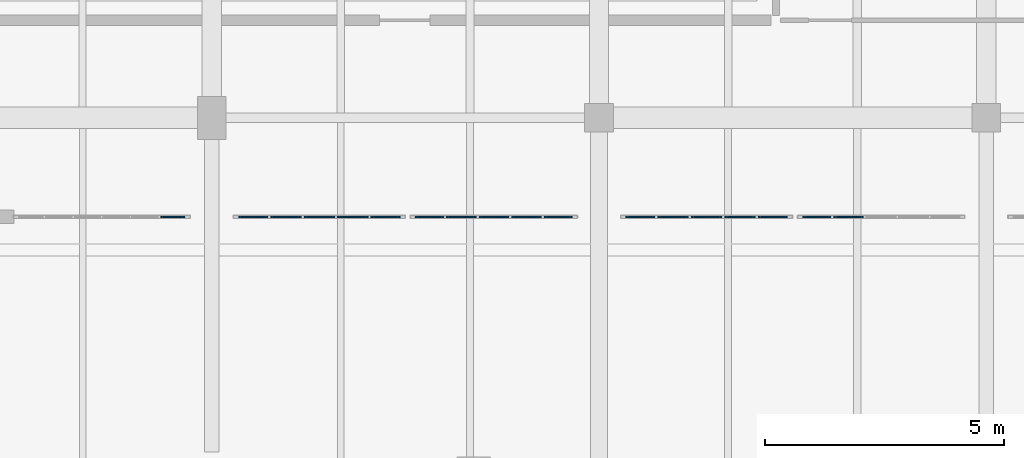
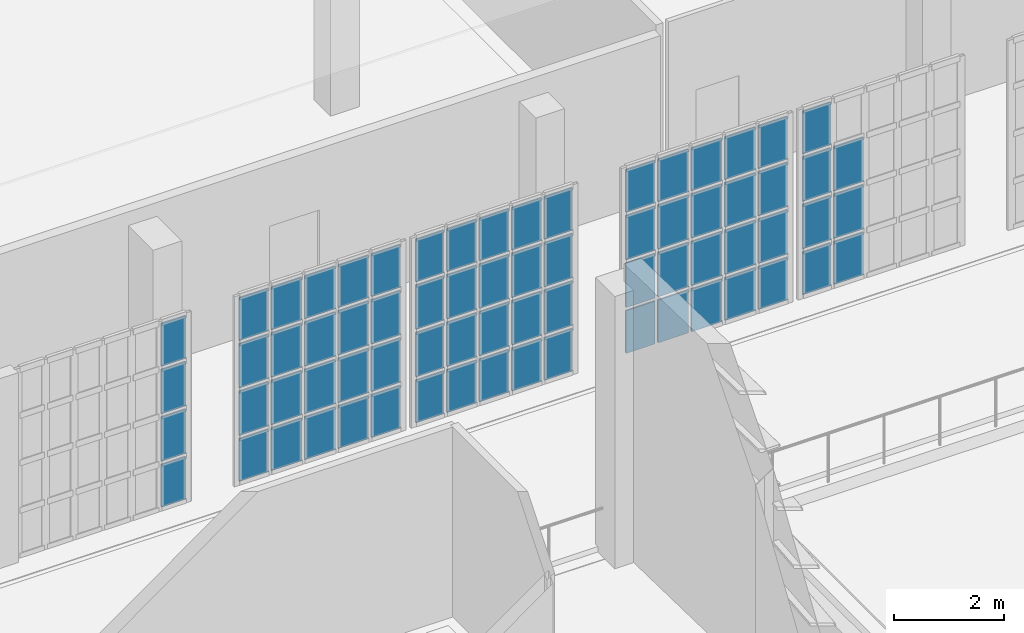
# One storey, part 52 of 73: 71 plates, 5 elements without a shape of their own.
"""IFC4 building model written with IfcOpenShell, lengths in metres."""

from ifc_helpers import new_model, si_unit, direction, frame, origin, origin_2d, place, context, subcontext, project, spatial, rectangle, extrude, material, layer, layer_set, type_object, element, aggregate, save


model = new_model("IFC4")

# Units and contexts
model_context = context("Model", 3, precision=1e-05, world=origin(), true_north=direction((0.0, 1.0)))
body_context = subcontext(model_context, "Body", "Model", "MODEL_VIEW")
ifc_project = project(units=[si_unit("LENGTHUNIT", "METRE"), si_unit("AREAUNIT", "SQUARE_METRE"), si_unit("VOLUMEUNIT", "CUBIC_METRE"), si_unit("PLANEANGLEUNIT", "RADIAN"), si_unit("MASSUNIT", "GRAM", prefix="KILO")], contexts=[model_context])

# Site, building, storey
site_placement = place(None, origin())
site = spatial("IfcSite", under=ifc_project, at=site_placement, CompositionType="ELEMENT")
building_placement = place(site_placement, origin())
building = spatial("IfcBuilding", under=site, at=building_placement, Name="Kaelora Sail Theatre", CompositionType="ELEMENT")
storey_placement = place(building_placement, frame((0.0, 0.0, 10.199951171875)))
storey = spatial("IfcBuildingStorey", under=building, at=storey_placement, Name="L02", CompositionType="ELEMENT", Elevation=10.199951171875)

# Curtain wall, plates
ifc_material_1 = material(Name="Anodised aluminium and solar-control low-E IGU", Category="aluminium")
curtain_wall_type = type_object("IfcCurtainWallType", Name="ARC-CW-CW-BRG", PredefinedType="NOTDEFINED", material=ifc_material_1)
curtain_wall_1_placement = place(storey_placement, origin())
curtain_wall_1 = element("IfcCurtainWall", 1, at=curtain_wall_1_placement, inside=storey, type_object=curtain_wall_type, Name="Glazed Foyer/Conservatory Curtain Wall FC2-S-L02-01", PredefinedType="NOTDEFINED")
ifc_material_2 = material(Name="Solar-control laminated low-E glass", Category="glass")
ifc_layer = layer(ifc_material_2, 0.031982421875)
ifc_layer_set = layer_set([ifc_layer], Name="Solar-control laminated low-E glass")
plate_type = type_object("IfcPlateType", Name="ARC-CW-PNL", PredefinedType="CURTAIN_PANEL", material=ifc_layer_set)
plate_1_placement = place(storey_placement, frame((97.885009765625, 66.389892578125, 0.070068359375), z_axis=(0.0, 0.0, 1.0), x_axis=(1.0, 0.0, 0.0)))
plate_1 = element("IfcPlate", 2, at=plate_1_placement, type_object=plate_type, Name="CW-BRG panel 6.1", PredefinedType="CURTAIN_PANEL", context=body_context, shape_type="SweptSolid", body=[
    extrude(rectangle(XDim=0.510009765625, YDim=0.031982421875, at=origin_2d()), origin(), (0.0, 0.0, 1.0), 0.9462890625),
])
plate_2_placement = place(storey_placement, frame((97.885009765625, 66.389892578125, 1.08642578125), z_axis=(0.0, 0.0, 1.0), x_axis=(1.0, 0.0, 0.0)))
plate_2 = element("IfcPlate", 3, at=plate_2_placement, type_object=plate_type, Name="CW-BRG panel 6.2", PredefinedType="CURTAIN_PANEL", context=body_context, shape_type="SweptSolid", body=[
    extrude(rectangle(XDim=0.510009765625, YDim=0.031982421875, at=origin_2d()), origin(), (0.0, 0.0, 1.0), 0.981201171875),
])
plate_3_placement = place(storey_placement, frame((97.885009765625, 66.389892578125, 2.1376953125), z_axis=(0.0, 0.0, 1.0), x_axis=(1.0, 0.0, 0.0)))
plate_3 = element("IfcPlate", 4, at=plate_3_placement, type_object=plate_type, Name="CW-BRG panel 6.3", PredefinedType="CURTAIN_PANEL", context=body_context, shape_type="SweptSolid", body=[
    extrude(rectangle(XDim=0.510009765625, YDim=0.031982421875, at=origin_2d()), origin(), (0.0, 0.0, 1.0), 0.981201171875),
])
plate_4_placement = place(storey_placement, frame((97.885009765625, 66.389892578125, 3.188720703125), z_axis=(0.0, 0.0, 1.0), x_axis=(1.0, 0.0, 0.0)))
plate_4 = element("IfcPlate", 5, at=plate_4_placement, type_object=plate_type, Name="CW-BRG panel 6.4", PredefinedType="CURTAIN_PANEL", context=body_context, shape_type="SweptSolid", body=[
    extrude(rectangle(XDim=0.510009765625, YDim=0.031982421875, at=origin_2d()), origin(), (0.0, 0.0, 1.0), 0.9462890625),
])
aggregate(curtain_wall_1, [plate_1, plate_2, plate_3, plate_4])

curtain_wall_2_placement = place(storey_placement, origin())
curtain_wall_2 = element("IfcCurtainWall", 6, at=curtain_wall_2_placement, inside=storey, type_object=curtain_wall_type, Name="Glazed Foyer/Conservatory Curtain Wall FC2-S-L02-02", PredefinedType="NOTDEFINED")
plate_5_placement = place(storey_placement, frame((99.56494140625, 66.389892578125, 0.070068359375), z_axis=(0.0, 0.0, 1.0), x_axis=(1.0, 0.0, 0.0)))
plate_5 = element("IfcPlate", 7, at=plate_5_placement, type_object=plate_type, Name="CW-BRG panel 1.1", PredefinedType="CURTAIN_PANEL", context=body_context, shape_type="SweptSolid", body=[
    extrude(rectangle(XDim=0.610107421875, YDim=0.031982421875, at=origin_2d()), origin(), (0.0, 0.0, 1.0), 0.9462890625),
])
plate_6_placement = place(storey_placement, frame((99.56494140625, 66.389892578125, 1.08642578125), z_axis=(0.0, 0.0, 1.0), x_axis=(1.0, 0.0, 0.0)))
plate_6 = element("IfcPlate", 8, at=plate_6_placement, type_object=plate_type, Name="CW-BRG panel 1.2", PredefinedType="CURTAIN_PANEL", context=body_context, shape_type="SweptSolid", body=[
    extrude(rectangle(XDim=0.610107421875, YDim=0.031982421875, at=origin_2d()), origin(), (0.0, 0.0, 1.0), 0.981201171875),
])
plate_7_placement = place(storey_placement, frame((99.56494140625, 66.389892578125, 2.1376953125), z_axis=(0.0, 0.0, 1.0), x_axis=(1.0, 0.0, 0.0)))
plate_7 = element("IfcPlate", 9, at=plate_7_placement, type_object=plate_type, Name="CW-BRG panel 1.3", PredefinedType="CURTAIN_PANEL", context=body_context, shape_type="SweptSolid", body=[
    extrude(rectangle(XDim=0.610107421875, YDim=0.031982421875, at=origin_2d()), origin(), (0.0, 0.0, 1.0), 0.981201171875),
])
plate_8_placement = place(storey_placement, frame((99.56494140625, 66.389892578125, 3.188720703125), z_axis=(0.0, 0.0, 1.0), x_axis=(1.0, 0.0, 0.0)))
plate_8 = element("IfcPlate", 10, at=plate_8_placement, type_object=plate_type, Name="CW-BRG panel 1.4", PredefinedType="CURTAIN_PANEL", context=body_context, shape_type="SweptSolid", body=[
    extrude(rectangle(XDim=0.610107421875, YDim=0.031982421875, at=origin_2d()), origin(), (0.0, 0.0, 1.0), 0.9462890625),
])
plate_9_placement = place(storey_placement, frame((100.25, 66.389892578125, 0.070068359375), z_axis=(0.0, 0.0, 1.0), x_axis=(1.0, 0.0, 0.0)))
plate_9 = element("IfcPlate", 11, at=plate_9_placement, type_object=plate_type, Name="CW-BRG panel 2.1", PredefinedType="CURTAIN_PANEL", context=body_context, shape_type="SweptSolid", body=[
    extrude(rectangle(XDim=0.639892578125, YDim=0.031982421875, at=origin_2d()), origin(), (0.0, 0.0, 1.0), 0.9462890625),
])
plate_10_placement = place(storey_placement, frame((100.25, 66.389892578125, 1.08642578125), z_axis=(0.0, 0.0, 1.0), x_axis=(1.0, 0.0, 0.0)))
plate_10 = element("IfcPlate", 12, at=plate_10_placement, type_object=plate_type, Name="CW-BRG panel 2.2", PredefinedType="CURTAIN_PANEL", context=body_context, shape_type="SweptSolid", body=[
    extrude(rectangle(XDim=0.639892578125, YDim=0.031982421875, at=origin_2d()), origin(), (0.0, 0.0, 1.0), 0.981201171875),
])
plate_11_placement = place(storey_placement, frame((100.25, 66.389892578125, 2.1376953125), z_axis=(0.0, 0.0, 1.0), x_axis=(1.0, 0.0, 0.0)))
plate_11 = element("IfcPlate", 13, at=plate_11_placement, type_object=plate_type, Name="CW-BRG panel 2.3", PredefinedType="CURTAIN_PANEL", context=body_context, shape_type="SweptSolid", body=[
    extrude(rectangle(XDim=0.639892578125, YDim=0.031982421875, at=origin_2d()), origin(), (0.0, 0.0, 1.0), 0.981201171875),
])
plate_12_placement = place(storey_placement, frame((100.25, 66.389892578125, 3.188720703125), z_axis=(0.0, 0.0, 1.0), x_axis=(1.0, 0.0, 0.0)))
plate_12 = element("IfcPlate", 14, at=plate_12_placement, type_object=plate_type, Name="CW-BRG panel 2.4", PredefinedType="CURTAIN_PANEL", context=body_context, shape_type="SweptSolid", body=[
    extrude(rectangle(XDim=0.639892578125, YDim=0.031982421875, at=origin_2d()), origin(), (0.0, 0.0, 1.0), 0.9462890625),
])
plate_13_placement = place(storey_placement, frame((100.949951171875, 66.389892578125, 0.070068359375), z_axis=(0.0, 0.0, 1.0), x_axis=(1.0, 0.0, 0.0)))
plate_13 = element("IfcPlate", 15, at=plate_13_placement, type_object=plate_type, Name="CW-BRG panel 3.1", PredefinedType="CURTAIN_PANEL", context=body_context, shape_type="SweptSolid", body=[
    extrude(rectangle(XDim=0.639892578125, YDim=0.031982421875, at=origin_2d()), origin(), (0.0, 0.0, 1.0), 0.9462890625),
])
plate_14_placement = place(storey_placement, frame((100.949951171875, 66.389892578125, 1.08642578125), z_axis=(0.0, 0.0, 1.0), x_axis=(1.0, 0.0, 0.0)))
plate_14 = element("IfcPlate", 16, at=plate_14_placement, type_object=plate_type, Name="CW-BRG panel 3.2", PredefinedType="CURTAIN_PANEL", context=body_context, shape_type="SweptSolid", body=[
    extrude(rectangle(XDim=0.639892578125, YDim=0.031982421875, at=origin_2d()), origin(), (0.0, 0.0, 1.0), 0.981201171875),
])
plate_15_placement = place(storey_placement, frame((100.949951171875, 66.389892578125, 2.1376953125), z_axis=(0.0, 0.0, 1.0), x_axis=(1.0, 0.0, 0.0)))
plate_15 = element("IfcPlate", 17, at=plate_15_placement, type_object=plate_type, Name="CW-BRG panel 3.3", PredefinedType="CURTAIN_PANEL", context=body_context, shape_type="SweptSolid", body=[
    extrude(rectangle(XDim=0.639892578125, YDim=0.031982421875, at=origin_2d()), origin(), (0.0, 0.0, 1.0), 0.981201171875),
])
plate_16_placement = place(storey_placement, frame((100.949951171875, 66.389892578125, 3.188720703125), z_axis=(0.0, 0.0, 1.0), x_axis=(1.0, 0.0, 0.0)))
plate_16 = element("IfcPlate", 18, at=plate_16_placement, type_object=plate_type, Name="CW-BRG panel 3.4", PredefinedType="CURTAIN_PANEL", context=body_context, shape_type="SweptSolid", body=[
    extrude(rectangle(XDim=0.639892578125, YDim=0.031982421875, at=origin_2d()), origin(), (0.0, 0.0, 1.0), 0.9462890625),
])
plate_17_placement = place(storey_placement, frame((101.64990234375, 66.389892578125, 0.070068359375), z_axis=(0.0, 0.0, 1.0), x_axis=(1.0, 0.0, 0.0)))
plate_17 = element("IfcPlate", 19, at=plate_17_placement, type_object=plate_type, Name="CW-BRG panel 4.1", PredefinedType="CURTAIN_PANEL", context=body_context, shape_type="SweptSolid", body=[
    extrude(rectangle(XDim=0.639892578125, YDim=0.031982421875, at=origin_2d()), origin(), (0.0, 0.0, 1.0), 0.9462890625),
])
plate_18_placement = place(storey_placement, frame((101.64990234375, 66.389892578125, 1.08642578125), z_axis=(0.0, 0.0, 1.0), x_axis=(1.0, 0.0, 0.0)))
plate_18 = element("IfcPlate", 20, at=plate_18_placement, type_object=plate_type, Name="CW-BRG panel 4.2", PredefinedType="CURTAIN_PANEL", context=body_context, shape_type="SweptSolid", body=[
    extrude(rectangle(XDim=0.639892578125, YDim=0.031982421875, at=origin_2d()), origin(), (0.0, 0.0, 1.0), 0.981201171875),
])
plate_19_placement = place(storey_placement, frame((101.64990234375, 66.389892578125, 2.1376953125), z_axis=(0.0, 0.0, 1.0), x_axis=(1.0, 0.0, 0.0)))
plate_19 = element("IfcPlate", 21, at=plate_19_placement, type_object=plate_type, Name="CW-BRG panel 4.3", PredefinedType="CURTAIN_PANEL", context=body_context, shape_type="SweptSolid", body=[
    extrude(rectangle(XDim=0.639892578125, YDim=0.031982421875, at=origin_2d()), origin(), (0.0, 0.0, 1.0), 0.981201171875),
])
plate_20_placement = place(storey_placement, frame((101.64990234375, 66.389892578125, 3.188720703125), z_axis=(0.0, 0.0, 1.0), x_axis=(1.0, 0.0, 0.0)))
plate_20 = element("IfcPlate", 22, at=plate_20_placement, type_object=plate_type, Name="CW-BRG panel 4.4", PredefinedType="CURTAIN_PANEL", context=body_context, shape_type="SweptSolid", body=[
    extrude(rectangle(XDim=0.639892578125, YDim=0.031982421875, at=origin_2d()), origin(), (0.0, 0.0, 1.0), 0.9462890625),
])
plate_21_placement = place(storey_placement, frame((102.3349609375, 66.389892578125, 0.070068359375), z_axis=(0.0, 0.0, 1.0), x_axis=(1.0, 0.0, 0.0)))
plate_21 = element("IfcPlate", 23, at=plate_21_placement, type_object=plate_type, Name="CW-BRG panel 5.1", PredefinedType="CURTAIN_PANEL", context=body_context, shape_type="SweptSolid", body=[
    extrude(rectangle(XDim=0.610107421875, YDim=0.031982421875, at=origin_2d()), origin(), (0.0, 0.0, 1.0), 0.9462890625),
])
plate_22_placement = place(storey_placement, frame((102.3349609375, 66.389892578125, 1.08642578125), z_axis=(0.0, 0.0, 1.0), x_axis=(1.0, 0.0, 0.0)))
plate_22 = element("IfcPlate", 24, at=plate_22_placement, type_object=plate_type, Name="CW-BRG panel 5.2", PredefinedType="CURTAIN_PANEL", context=body_context, shape_type="SweptSolid", body=[
    extrude(rectangle(XDim=0.610107421875, YDim=0.031982421875, at=origin_2d()), origin(), (0.0, 0.0, 1.0), 0.981201171875),
])
plate_23_placement = place(storey_placement, frame((102.3349609375, 66.389892578125, 2.1376953125), z_axis=(0.0, 0.0, 1.0), x_axis=(1.0, 0.0, 0.0)))
plate_23 = element("IfcPlate", 25, at=plate_23_placement, type_object=plate_type, Name="CW-BRG panel 5.3", PredefinedType="CURTAIN_PANEL", context=body_context, shape_type="SweptSolid", body=[
    extrude(rectangle(XDim=0.610107421875, YDim=0.031982421875, at=origin_2d()), origin(), (0.0, 0.0, 1.0), 0.981201171875),
])
plate_24_placement = place(storey_placement, frame((102.3349609375, 66.389892578125, 3.188720703125), z_axis=(0.0, 0.0, 1.0), x_axis=(1.0, 0.0, 0.0)))
plate_24 = element("IfcPlate", 26, at=plate_24_placement, type_object=plate_type, Name="CW-BRG panel 5.4", PredefinedType="CURTAIN_PANEL", context=body_context, shape_type="SweptSolid", body=[
    extrude(rectangle(XDim=0.610107421875, YDim=0.031982421875, at=origin_2d()), origin(), (0.0, 0.0, 1.0), 0.9462890625),
])
aggregate(curtain_wall_2, [plate_5, plate_6, plate_7, plate_8, plate_9, plate_10, plate_11, plate_12, plate_13, plate_14, plate_15, plate_16, plate_17, plate_18, plate_19, plate_20, plate_21, plate_22, plate_23, plate_24])

curtain_wall_3_placement = place(storey_placement, origin())
curtain_wall_3 = element("IfcCurtainWall", 27, at=curtain_wall_3_placement, inside=storey, type_object=curtain_wall_type, Name="Glazed Foyer/Conservatory Curtain Wall FC2-S-L02-03", PredefinedType="NOTDEFINED")
plate_25_placement = place(storey_placement, frame((103.2548828125, 66.389892578125, 0.070068359375), z_axis=(0.0, 0.0, 1.0), x_axis=(1.0, 0.0, 0.0)))
plate_25 = element("IfcPlate", 28, at=plate_25_placement, type_object=plate_type, Name="CW-BRG panel 1.1", PredefinedType="CURTAIN_PANEL", context=body_context, shape_type="SweptSolid", body=[
    extrude(rectangle(XDim=0.590087890625, YDim=0.031982421875, at=origin_2d()), origin(), (0.0, 0.0, 1.0), 0.9462890625),
])
plate_26_placement = place(storey_placement, frame((103.2548828125, 66.389892578125, 1.08642578125), z_axis=(0.0, 0.0, 1.0), x_axis=(1.0, 0.0, 0.0)))
plate_26 = element("IfcPlate", 29, at=plate_26_placement, type_object=plate_type, Name="CW-BRG panel 1.2", PredefinedType="CURTAIN_PANEL", context=body_context, shape_type="SweptSolid", body=[
    extrude(rectangle(XDim=0.590087890625, YDim=0.031982421875, at=origin_2d()), origin(), (0.0, 0.0, 1.0), 0.981201171875),
])
plate_27_placement = place(storey_placement, frame((103.2548828125, 66.389892578125, 2.1376953125), z_axis=(0.0, 0.0, 1.0), x_axis=(1.0, 0.0, 0.0)))
plate_27 = element("IfcPlate", 30, at=plate_27_placement, type_object=plate_type, Name="CW-BRG panel 1.3", PredefinedType="CURTAIN_PANEL", context=body_context, shape_type="SweptSolid", body=[
    extrude(rectangle(XDim=0.590087890625, YDim=0.031982421875, at=origin_2d()), origin(), (0.0, 0.0, 1.0), 0.981201171875),
])
plate_28_placement = place(storey_placement, frame((103.2548828125, 66.389892578125, 3.188720703125), z_axis=(0.0, 0.0, 1.0), x_axis=(1.0, 0.0, 0.0)))
plate_28 = element("IfcPlate", 31, at=plate_28_placement, type_object=plate_type, Name="CW-BRG panel 1.4", PredefinedType="CURTAIN_PANEL", context=body_context, shape_type="SweptSolid", body=[
    extrude(rectangle(XDim=0.590087890625, YDim=0.031982421875, at=origin_2d()), origin(), (0.0, 0.0, 1.0), 0.9462890625),
])
plate_29_placement = place(storey_placement, frame((103.919921875, 66.389892578125, 0.070068359375), z_axis=(0.0, 0.0, 1.0), x_axis=(1.0, 0.0, 0.0)))
plate_29 = element("IfcPlate", 32, at=plate_29_placement, type_object=plate_type, Name="CW-BRG panel 2.1", PredefinedType="CURTAIN_PANEL", context=body_context, shape_type="SweptSolid", body=[
    extrude(rectangle(XDim=0.6201171875, YDim=0.031982421875, at=origin_2d()), origin(), (0.0, 0.0, 1.0), 0.9462890625),
])
plate_30_placement = place(storey_placement, frame((103.919921875, 66.389892578125, 1.08642578125), z_axis=(0.0, 0.0, 1.0), x_axis=(1.0, 0.0, 0.0)))
plate_30 = element("IfcPlate", 33, at=plate_30_placement, type_object=plate_type, Name="CW-BRG panel 2.2", PredefinedType="CURTAIN_PANEL", context=body_context, shape_type="SweptSolid", body=[
    extrude(rectangle(XDim=0.6201171875, YDim=0.031982421875, at=origin_2d()), origin(), (0.0, 0.0, 1.0), 0.981201171875),
])
plate_31_placement = place(storey_placement, frame((103.919921875, 66.389892578125, 2.1376953125), z_axis=(0.0, 0.0, 1.0), x_axis=(1.0, 0.0, 0.0)))
plate_31 = element("IfcPlate", 34, at=plate_31_placement, type_object=plate_type, Name="CW-BRG panel 2.3", PredefinedType="CURTAIN_PANEL", context=body_context, shape_type="SweptSolid", body=[
    extrude(rectangle(XDim=0.6201171875, YDim=0.031982421875, at=origin_2d()), origin(), (0.0, 0.0, 1.0), 0.981201171875),
])
plate_32_placement = place(storey_placement, frame((103.919921875, 66.389892578125, 3.188720703125), z_axis=(0.0, 0.0, 1.0), x_axis=(1.0, 0.0, 0.0)))
plate_32 = element("IfcPlate", 35, at=plate_32_placement, type_object=plate_type, Name="CW-BRG panel 2.4", PredefinedType="CURTAIN_PANEL", context=body_context, shape_type="SweptSolid", body=[
    extrude(rectangle(XDim=0.6201171875, YDim=0.031982421875, at=origin_2d()), origin(), (0.0, 0.0, 1.0), 0.9462890625),
])
plate_33_placement = place(storey_placement, frame((104.60009765625, 66.389892578125, 0.070068359375), z_axis=(0.0, 0.0, 1.0), x_axis=(1.0, 0.0, 0.0)))
plate_33 = element("IfcPlate", 36, at=plate_33_placement, type_object=plate_type, Name="CW-BRG panel 3.1", PredefinedType="CURTAIN_PANEL", context=body_context, shape_type="SweptSolid", body=[
    extrude(rectangle(XDim=0.6201171875, YDim=0.031982421875, at=origin_2d()), origin(), (0.0, 0.0, 1.0), 0.9462890625),
])
plate_34_placement = place(storey_placement, frame((104.60009765625, 66.389892578125, 1.08642578125), z_axis=(0.0, 0.0, 1.0), x_axis=(1.0, 0.0, 0.0)))
plate_34 = element("IfcPlate", 37, at=plate_34_placement, type_object=plate_type, Name="CW-BRG panel 3.2", PredefinedType="CURTAIN_PANEL", context=body_context, shape_type="SweptSolid", body=[
    extrude(rectangle(XDim=0.6201171875, YDim=0.031982421875, at=origin_2d()), origin(), (0.0, 0.0, 1.0), 0.981201171875),
])
plate_35_placement = place(storey_placement, frame((104.60009765625, 66.389892578125, 2.1376953125), z_axis=(0.0, 0.0, 1.0), x_axis=(1.0, 0.0, 0.0)))
plate_35 = element("IfcPlate", 38, at=plate_35_placement, type_object=plate_type, Name="CW-BRG panel 3.3", PredefinedType="CURTAIN_PANEL", context=body_context, shape_type="SweptSolid", body=[
    extrude(rectangle(XDim=0.6201171875, YDim=0.031982421875, at=origin_2d()), origin(), (0.0, 0.0, 1.0), 0.981201171875),
])
plate_36_placement = place(storey_placement, frame((104.60009765625, 66.389892578125, 3.188720703125), z_axis=(0.0, 0.0, 1.0), x_axis=(1.0, 0.0, 0.0)))
plate_36 = element("IfcPlate", 39, at=plate_36_placement, type_object=plate_type, Name="CW-BRG panel 3.4", PredefinedType="CURTAIN_PANEL", context=body_context, shape_type="SweptSolid", body=[
    extrude(rectangle(XDim=0.6201171875, YDim=0.031982421875, at=origin_2d()), origin(), (0.0, 0.0, 1.0), 0.9462890625),
])
plate_37_placement = place(storey_placement, frame((105.280029296875, 66.389892578125, 0.070068359375), z_axis=(0.0, 0.0, 1.0), x_axis=(1.0, 0.0, 0.0)))
plate_37 = element("IfcPlate", 40, at=plate_37_placement, type_object=plate_type, Name="CW-BRG panel 4.1", PredefinedType="CURTAIN_PANEL", context=body_context, shape_type="SweptSolid", body=[
    extrude(rectangle(XDim=0.6201171875, YDim=0.031982421875, at=origin_2d()), origin(), (0.0, 0.0, 1.0), 0.9462890625),
])
plate_38_placement = place(storey_placement, frame((105.280029296875, 66.389892578125, 1.08642578125), z_axis=(0.0, 0.0, 1.0), x_axis=(1.0, 0.0, 0.0)))
plate_38 = element("IfcPlate", 41, at=plate_38_placement, type_object=plate_type, Name="CW-BRG panel 4.2", PredefinedType="CURTAIN_PANEL", context=body_context, shape_type="SweptSolid", body=[
    extrude(rectangle(XDim=0.6201171875, YDim=0.031982421875, at=origin_2d()), origin(), (0.0, 0.0, 1.0), 0.981201171875),
])
plate_39_placement = place(storey_placement, frame((105.280029296875, 66.389892578125, 2.1376953125), z_axis=(0.0, 0.0, 1.0), x_axis=(1.0, 0.0, 0.0)))
plate_39 = element("IfcPlate", 42, at=plate_39_placement, type_object=plate_type, Name="CW-BRG panel 4.3", PredefinedType="CURTAIN_PANEL", context=body_context, shape_type="SweptSolid", body=[
    extrude(rectangle(XDim=0.6201171875, YDim=0.031982421875, at=origin_2d()), origin(), (0.0, 0.0, 1.0), 0.981201171875),
])
plate_40_placement = place(storey_placement, frame((105.280029296875, 66.389892578125, 3.188720703125), z_axis=(0.0, 0.0, 1.0), x_axis=(1.0, 0.0, 0.0)))
plate_40 = element("IfcPlate", 43, at=plate_40_placement, type_object=plate_type, Name="CW-BRG panel 4.4", PredefinedType="CURTAIN_PANEL", context=body_context, shape_type="SweptSolid", body=[
    extrude(rectangle(XDim=0.6201171875, YDim=0.031982421875, at=origin_2d()), origin(), (0.0, 0.0, 1.0), 0.9462890625),
])
plate_41_placement = place(storey_placement, frame((105.945068359375, 66.389892578125, 0.070068359375), z_axis=(0.0, 0.0, 1.0), x_axis=(1.0, 0.0, 0.0)))
plate_41 = element("IfcPlate", 44, at=plate_41_placement, type_object=plate_type, Name="CW-BRG panel 5.1", PredefinedType="CURTAIN_PANEL", context=body_context, shape_type="SweptSolid", body=[
    extrude(rectangle(XDim=0.590087890625, YDim=0.031982421875, at=origin_2d()), origin(), (0.0, 0.0, 1.0), 0.9462890625),
])
plate_42_placement = place(storey_placement, frame((105.945068359375, 66.389892578125, 1.08642578125), z_axis=(0.0, 0.0, 1.0), x_axis=(1.0, 0.0, 0.0)))
plate_42 = element("IfcPlate", 45, at=plate_42_placement, type_object=plate_type, Name="CW-BRG panel 5.2", PredefinedType="CURTAIN_PANEL", context=body_context, shape_type="SweptSolid", body=[
    extrude(rectangle(XDim=0.590087890625, YDim=0.031982421875, at=origin_2d()), origin(), (0.0, 0.0, 1.0), 0.981201171875),
])
plate_43_placement = place(storey_placement, frame((105.945068359375, 66.389892578125, 2.1376953125), z_axis=(0.0, 0.0, 1.0), x_axis=(1.0, 0.0, 0.0)))
plate_43 = element("IfcPlate", 46, at=plate_43_placement, type_object=plate_type, Name="CW-BRG panel 5.3", PredefinedType="CURTAIN_PANEL", context=body_context, shape_type="SweptSolid", body=[
    extrude(rectangle(XDim=0.590087890625, YDim=0.031982421875, at=origin_2d()), origin(), (0.0, 0.0, 1.0), 0.981201171875),
])
plate_44_placement = place(storey_placement, frame((105.945068359375, 66.389892578125, 3.188720703125), z_axis=(0.0, 0.0, 1.0), x_axis=(1.0, 0.0, 0.0)))
plate_44 = element("IfcPlate", 47, at=plate_44_placement, type_object=plate_type, Name="CW-BRG panel 5.4", PredefinedType="CURTAIN_PANEL", context=body_context, shape_type="SweptSolid", body=[
    extrude(rectangle(XDim=0.590087890625, YDim=0.031982421875, at=origin_2d()), origin(), (0.0, 0.0, 1.0), 0.9462890625),
])
aggregate(curtain_wall_3, [plate_25, plate_26, plate_27, plate_28, plate_29, plate_30, plate_31, plate_32, plate_33, plate_34, plate_35, plate_36, plate_37, plate_38, plate_39, plate_40, plate_41, plate_42, plate_43, plate_44])

curtain_wall_4_placement = place(storey_placement, origin())
curtain_wall_4 = element("IfcCurtainWall", 48, at=curtain_wall_4_placement, inside=storey, type_object=curtain_wall_type, Name="Glazed Foyer/Conservatory Curtain Wall FC2-S-L02-04", PredefinedType="NOTDEFINED")
plate_45_placement = place(storey_placement, frame((107.6650390625, 66.389892578125, 0.070068359375), z_axis=(0.0, 0.0, 1.0), x_axis=(1.0, 0.0, 0.0)))
plate_45 = element("IfcPlate", 49, at=plate_45_placement, type_object=plate_type, Name="CW-BRG panel 1.1", PredefinedType="CURTAIN_PANEL", context=body_context, shape_type="SweptSolid", body=[
    extrude(rectangle(XDim=0.610107421875, YDim=0.031982421875, at=origin_2d()), origin(), (0.0, 0.0, 1.0), 0.9462890625),
])
plate_46_placement = place(storey_placement, frame((107.6650390625, 66.389892578125, 1.08642578125), z_axis=(0.0, 0.0, 1.0), x_axis=(1.0, 0.0, 0.0)))
plate_46 = element("IfcPlate", 50, at=plate_46_placement, type_object=plate_type, Name="CW-BRG panel 1.2", PredefinedType="CURTAIN_PANEL", context=body_context, shape_type="SweptSolid", body=[
    extrude(rectangle(XDim=0.610107421875, YDim=0.031982421875, at=origin_2d()), origin(), (0.0, 0.0, 1.0), 0.981201171875),
])
plate_47_placement = place(storey_placement, frame((107.6650390625, 66.389892578125, 2.1376953125), z_axis=(0.0, 0.0, 1.0), x_axis=(1.0, 0.0, 0.0)))
plate_47 = element("IfcPlate", 51, at=plate_47_placement, type_object=plate_type, Name="CW-BRG panel 1.3", PredefinedType="CURTAIN_PANEL", context=body_context, shape_type="SweptSolid", body=[
    extrude(rectangle(XDim=0.610107421875, YDim=0.031982421875, at=origin_2d()), origin(), (0.0, 0.0, 1.0), 0.981201171875),
])
plate_48_placement = place(storey_placement, frame((107.6650390625, 66.389892578125, 3.188720703125), z_axis=(0.0, 0.0, 1.0), x_axis=(1.0, 0.0, 0.0)))
plate_48 = element("IfcPlate", 52, at=plate_48_placement, type_object=plate_type, Name="CW-BRG panel 1.4", PredefinedType="CURTAIN_PANEL", context=body_context, shape_type="SweptSolid", body=[
    extrude(rectangle(XDim=0.610107421875, YDim=0.031982421875, at=origin_2d()), origin(), (0.0, 0.0, 1.0), 0.9462890625),
])
plate_49_placement = place(storey_placement, frame((108.35009765625, 66.389892578125, 0.070068359375), z_axis=(0.0, 0.0, 1.0), x_axis=(1.0, 0.0, 0.0)))
plate_49 = element("IfcPlate", 53, at=plate_49_placement, type_object=plate_type, Name="CW-BRG panel 2.1", PredefinedType="CURTAIN_PANEL", context=body_context, shape_type="SweptSolid", body=[
    extrude(rectangle(XDim=0.639892578125, YDim=0.031982421875, at=origin_2d()), origin(), (0.0, 0.0, 1.0), 0.9462890625),
])
plate_50_placement = place(storey_placement, frame((108.35009765625, 66.389892578125, 1.08642578125), z_axis=(0.0, 0.0, 1.0), x_axis=(1.0, 0.0, 0.0)))
plate_50 = element("IfcPlate", 54, at=plate_50_placement, type_object=plate_type, Name="CW-BRG panel 2.2", PredefinedType="CURTAIN_PANEL", context=body_context, shape_type="SweptSolid", body=[
    extrude(rectangle(XDim=0.639892578125, YDim=0.031982421875, at=origin_2d()), origin(), (0.0, 0.0, 1.0), 0.981201171875),
])
plate_51_placement = place(storey_placement, frame((108.35009765625, 66.389892578125, 2.1376953125), z_axis=(0.0, 0.0, 1.0), x_axis=(1.0, 0.0, 0.0)))
plate_51 = element("IfcPlate", 55, at=plate_51_placement, type_object=plate_type, Name="CW-BRG panel 2.3", PredefinedType="CURTAIN_PANEL", context=body_context, shape_type="SweptSolid", body=[
    extrude(rectangle(XDim=0.639892578125, YDim=0.031982421875, at=origin_2d()), origin(), (0.0, 0.0, 1.0), 0.981201171875),
])
plate_52_placement = place(storey_placement, frame((108.35009765625, 66.389892578125, 3.188720703125), z_axis=(0.0, 0.0, 1.0), x_axis=(1.0, 0.0, 0.0)))
plate_52 = element("IfcPlate", 56, at=plate_52_placement, type_object=plate_type, Name="CW-BRG panel 2.4", PredefinedType="CURTAIN_PANEL", context=body_context, shape_type="SweptSolid", body=[
    extrude(rectangle(XDim=0.639892578125, YDim=0.031982421875, at=origin_2d()), origin(), (0.0, 0.0, 1.0), 0.9462890625),
])
plate_53_placement = place(storey_placement, frame((109.050048828125, 66.389892578125, 0.070068359375), z_axis=(0.0, 0.0, 1.0), x_axis=(1.0, 0.0, 0.0)))
plate_53 = element("IfcPlate", 57, at=plate_53_placement, type_object=plate_type, Name="CW-BRG panel 3.1", PredefinedType="CURTAIN_PANEL", context=body_context, shape_type="SweptSolid", body=[
    extrude(rectangle(XDim=0.639892578125, YDim=0.031982421875, at=origin_2d()), origin(), (0.0, 0.0, 1.0), 0.9462890625),
])
plate_54_placement = place(storey_placement, frame((109.050048828125, 66.389892578125, 1.08642578125), z_axis=(0.0, 0.0, 1.0), x_axis=(1.0, 0.0, 0.0)))
plate_54 = element("IfcPlate", 58, at=plate_54_placement, type_object=plate_type, Name="CW-BRG panel 3.2", PredefinedType="CURTAIN_PANEL", context=body_context, shape_type="SweptSolid", body=[
    extrude(rectangle(XDim=0.639892578125, YDim=0.031982421875, at=origin_2d()), origin(), (0.0, 0.0, 1.0), 0.981201171875),
])
plate_55_placement = place(storey_placement, frame((109.050048828125, 66.389892578125, 2.1376953125), z_axis=(0.0, 0.0, 1.0), x_axis=(1.0, 0.0, 0.0)))
plate_55 = element("IfcPlate", 59, at=plate_55_placement, type_object=plate_type, Name="CW-BRG panel 3.3", PredefinedType="CURTAIN_PANEL", context=body_context, shape_type="SweptSolid", body=[
    extrude(rectangle(XDim=0.639892578125, YDim=0.031982421875, at=origin_2d()), origin(), (0.0, 0.0, 1.0), 0.981201171875),
])
plate_56_placement = place(storey_placement, frame((109.050048828125, 66.389892578125, 3.188720703125), z_axis=(0.0, 0.0, 1.0), x_axis=(1.0, 0.0, 0.0)))
plate_56 = element("IfcPlate", 60, at=plate_56_placement, type_object=plate_type, Name="CW-BRG panel 3.4", PredefinedType="CURTAIN_PANEL", context=body_context, shape_type="SweptSolid", body=[
    extrude(rectangle(XDim=0.639892578125, YDim=0.031982421875, at=origin_2d()), origin(), (0.0, 0.0, 1.0), 0.9462890625),
])
plate_57_placement = place(storey_placement, frame((109.75, 66.389892578125, 0.070068359375), z_axis=(0.0, 0.0, 1.0), x_axis=(1.0, 0.0, 0.0)))
plate_57 = element("IfcPlate", 61, at=plate_57_placement, type_object=plate_type, Name="CW-BRG panel 4.1", PredefinedType="CURTAIN_PANEL", context=body_context, shape_type="SweptSolid", body=[
    extrude(rectangle(XDim=0.639892578125, YDim=0.031982421875, at=origin_2d()), origin(), (0.0, 0.0, 1.0), 0.9462890625),
])
plate_58_placement = place(storey_placement, frame((109.75, 66.389892578125, 1.08642578125), z_axis=(0.0, 0.0, 1.0), x_axis=(1.0, 0.0, 0.0)))
plate_58 = element("IfcPlate", 62, at=plate_58_placement, type_object=plate_type, Name="CW-BRG panel 4.2", PredefinedType="CURTAIN_PANEL", context=body_context, shape_type="SweptSolid", body=[
    extrude(rectangle(XDim=0.639892578125, YDim=0.031982421875, at=origin_2d()), origin(), (0.0, 0.0, 1.0), 0.981201171875),
])
plate_59_placement = place(storey_placement, frame((109.75, 66.389892578125, 2.1376953125), z_axis=(0.0, 0.0, 1.0), x_axis=(1.0, 0.0, 0.0)))
plate_59 = element("IfcPlate", 63, at=plate_59_placement, type_object=plate_type, Name="CW-BRG panel 4.3", PredefinedType="CURTAIN_PANEL", context=body_context, shape_type="SweptSolid", body=[
    extrude(rectangle(XDim=0.639892578125, YDim=0.031982421875, at=origin_2d()), origin(), (0.0, 0.0, 1.0), 0.981201171875),
])
plate_60_placement = place(storey_placement, frame((109.75, 66.389892578125, 3.188720703125), z_axis=(0.0, 0.0, 1.0), x_axis=(1.0, 0.0, 0.0)))
plate_60 = element("IfcPlate", 64, at=plate_60_placement, type_object=plate_type, Name="CW-BRG panel 4.4", PredefinedType="CURTAIN_PANEL", context=body_context, shape_type="SweptSolid", body=[
    extrude(rectangle(XDim=0.639892578125, YDim=0.031982421875, at=origin_2d()), origin(), (0.0, 0.0, 1.0), 0.9462890625),
])
plate_61_placement = place(storey_placement, frame((110.43505859375, 66.389892578125, 0.070068359375), z_axis=(0.0, 0.0, 1.0), x_axis=(1.0, 0.0, 0.0)))
plate_61 = element("IfcPlate", 65, at=plate_61_placement, type_object=plate_type, Name="CW-BRG panel 5.1", PredefinedType="CURTAIN_PANEL", context=body_context, shape_type="SweptSolid", body=[
    extrude(rectangle(XDim=0.610107421875, YDim=0.031982421875, at=origin_2d()), origin(), (0.0, 0.0, 1.0), 0.9462890625),
])
plate_62_placement = place(storey_placement, frame((110.43505859375, 66.389892578125, 1.08642578125), z_axis=(0.0, 0.0, 1.0), x_axis=(1.0, 0.0, 0.0)))
plate_62 = element("IfcPlate", 66, at=plate_62_placement, type_object=plate_type, Name="CW-BRG panel 5.2", PredefinedType="CURTAIN_PANEL", context=body_context, shape_type="SweptSolid", body=[
    extrude(rectangle(XDim=0.610107421875, YDim=0.031982421875, at=origin_2d()), origin(), (0.0, 0.0, 1.0), 0.981201171875),
])
plate_63_placement = place(storey_placement, frame((110.43505859375, 66.389892578125, 2.1376953125), z_axis=(0.0, 0.0, 1.0), x_axis=(1.0, 0.0, 0.0)))
plate_63 = element("IfcPlate", 67, at=plate_63_placement, type_object=plate_type, Name="CW-BRG panel 5.3", PredefinedType="CURTAIN_PANEL", context=body_context, shape_type="SweptSolid", body=[
    extrude(rectangle(XDim=0.610107421875, YDim=0.031982421875, at=origin_2d()), origin(), (0.0, 0.0, 1.0), 0.981201171875),
])
plate_64_placement = place(storey_placement, frame((110.43505859375, 66.389892578125, 3.188720703125), z_axis=(0.0, 0.0, 1.0), x_axis=(1.0, 0.0, 0.0)))
plate_64 = element("IfcPlate", 68, at=plate_64_placement, type_object=plate_type, Name="CW-BRG panel 5.4", PredefinedType="CURTAIN_PANEL", context=body_context, shape_type="SweptSolid", body=[
    extrude(rectangle(XDim=0.610107421875, YDim=0.031982421875, at=origin_2d()), origin(), (0.0, 0.0, 1.0), 0.9462890625),
])
aggregate(curtain_wall_4, [plate_45, plate_46, plate_47, plate_48, plate_49, plate_50, plate_51, plate_52, plate_53, plate_54, plate_55, plate_56, plate_57, plate_58, plate_59, plate_60, plate_61, plate_62, plate_63, plate_64])

curtain_wall_5_placement = place(storey_placement, origin())
curtain_wall_5 = element("IfcCurtainWall", 69, at=curtain_wall_5_placement, inside=storey, type_object=curtain_wall_type, Name="Glazed Foyer/Conservatory Curtain Wall FC2-S-L02-05", PredefinedType="NOTDEFINED")
plate_65_placement = place(storey_placement, frame((111.35498046875, 66.389892578125, 0.070068359375), z_axis=(0.0, 0.0, 1.0), x_axis=(1.0, 0.0, 0.0)))
plate_65 = element("IfcPlate", 70, at=plate_65_placement, type_object=plate_type, Name="CW-BRG panel 1.1", PredefinedType="CURTAIN_PANEL", context=body_context, shape_type="SweptSolid", body=[
    extrude(rectangle(XDim=0.590087890625, YDim=0.031982421875, at=origin_2d()), origin(), (0.0, 0.0, 1.0), 0.9462890625),
])
plate_66_placement = place(storey_placement, frame((111.35498046875, 66.389892578125, 1.08642578125), z_axis=(0.0, 0.0, 1.0), x_axis=(1.0, 0.0, 0.0)))
plate_66 = element("IfcPlate", 71, at=plate_66_placement, type_object=plate_type, Name="CW-BRG panel 1.2", PredefinedType="CURTAIN_PANEL", context=body_context, shape_type="SweptSolid", body=[
    extrude(rectangle(XDim=0.590087890625, YDim=0.031982421875, at=origin_2d()), origin(), (0.0, 0.0, 1.0), 0.981201171875),
])
plate_67_placement = place(storey_placement, frame((111.35498046875, 66.389892578125, 2.1376953125), z_axis=(0.0, 0.0, 1.0), x_axis=(1.0, 0.0, 0.0)))
plate_67 = element("IfcPlate", 72, at=plate_67_placement, type_object=plate_type, Name="CW-BRG panel 1.3", PredefinedType="CURTAIN_PANEL", context=body_context, shape_type="SweptSolid", body=[
    extrude(rectangle(XDim=0.590087890625, YDim=0.031982421875, at=origin_2d()), origin(), (0.0, 0.0, 1.0), 0.981201171875),
])
plate_68_placement = place(storey_placement, frame((111.35498046875, 66.389892578125, 3.188720703125), z_axis=(0.0, 0.0, 1.0), x_axis=(1.0, 0.0, 0.0)))
plate_68 = element("IfcPlate", 73, at=plate_68_placement, type_object=plate_type, Name="CW-BRG panel 1.4", PredefinedType="CURTAIN_PANEL", context=body_context, shape_type="SweptSolid", body=[
    extrude(rectangle(XDim=0.590087890625, YDim=0.031982421875, at=origin_2d()), origin(), (0.0, 0.0, 1.0), 0.9462890625),
])
plate_69_placement = place(storey_placement, frame((112.02001953125, 66.389892578125, 0.070068359375), z_axis=(0.0, 0.0, 1.0), x_axis=(1.0, 0.0, 0.0)))
plate_69 = element("IfcPlate", 74, at=plate_69_placement, type_object=plate_type, Name="CW-BRG panel 2.1", PredefinedType="CURTAIN_PANEL", context=body_context, shape_type="SweptSolid", body=[
    extrude(rectangle(XDim=0.6201171875, YDim=0.031982421875, at=origin_2d()), origin(), (0.0, 0.0, 1.0), 0.9462890625),
])
plate_70_placement = place(storey_placement, frame((112.02001953125, 66.389892578125, 1.08642578125), z_axis=(0.0, 0.0, 1.0), x_axis=(1.0, 0.0, 0.0)))
plate_70 = element("IfcPlate", 75, at=plate_70_placement, type_object=plate_type, Name="CW-BRG panel 2.2", PredefinedType="CURTAIN_PANEL", context=body_context, shape_type="SweptSolid", body=[
    extrude(rectangle(XDim=0.6201171875, YDim=0.031982421875, at=origin_2d()), origin(), (0.0, 0.0, 1.0), 0.981201171875),
])
plate_71_placement = place(storey_placement, frame((112.02001953125, 66.389892578125, 2.1376953125), z_axis=(0.0, 0.0, 1.0), x_axis=(1.0, 0.0, 0.0)))
plate_71 = element("IfcPlate", 76, at=plate_71_placement, type_object=plate_type, Name="CW-BRG panel 2.3", PredefinedType="CURTAIN_PANEL", context=body_context, shape_type="SweptSolid", body=[
    extrude(rectangle(XDim=0.6201171875, YDim=0.031982421875, at=origin_2d()), origin(), (0.0, 0.0, 1.0), 0.981201171875),
])
aggregate(curtain_wall_5, [plate_65, plate_66, plate_67, plate_68, plate_69, plate_70, plate_71])

save(model, "model.ifc")
